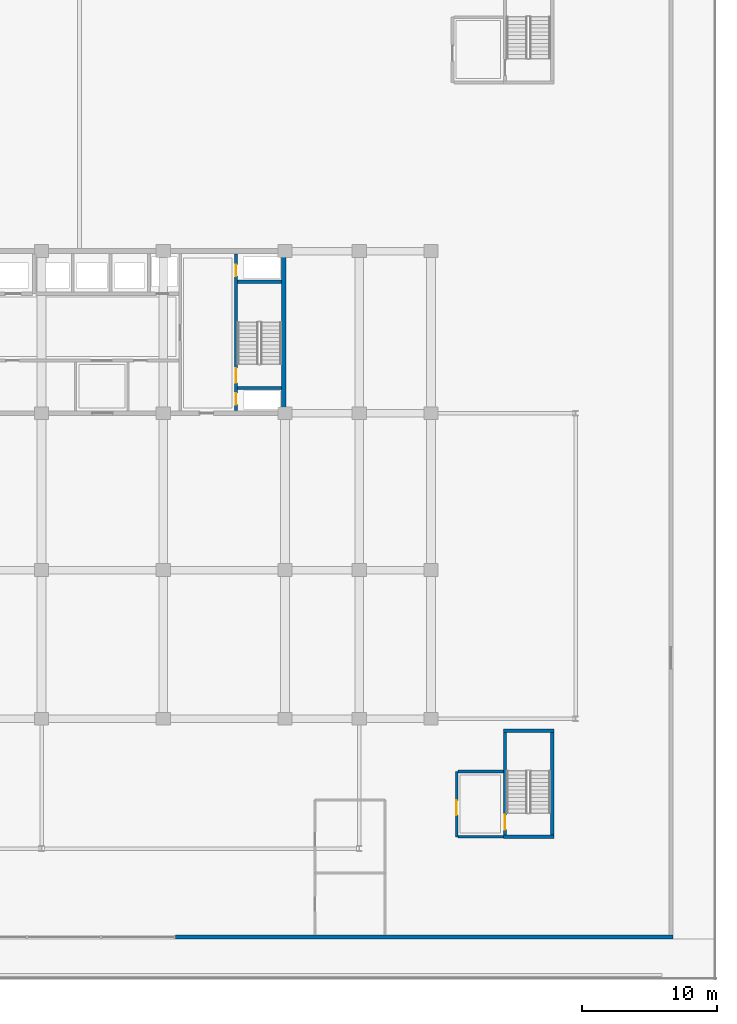
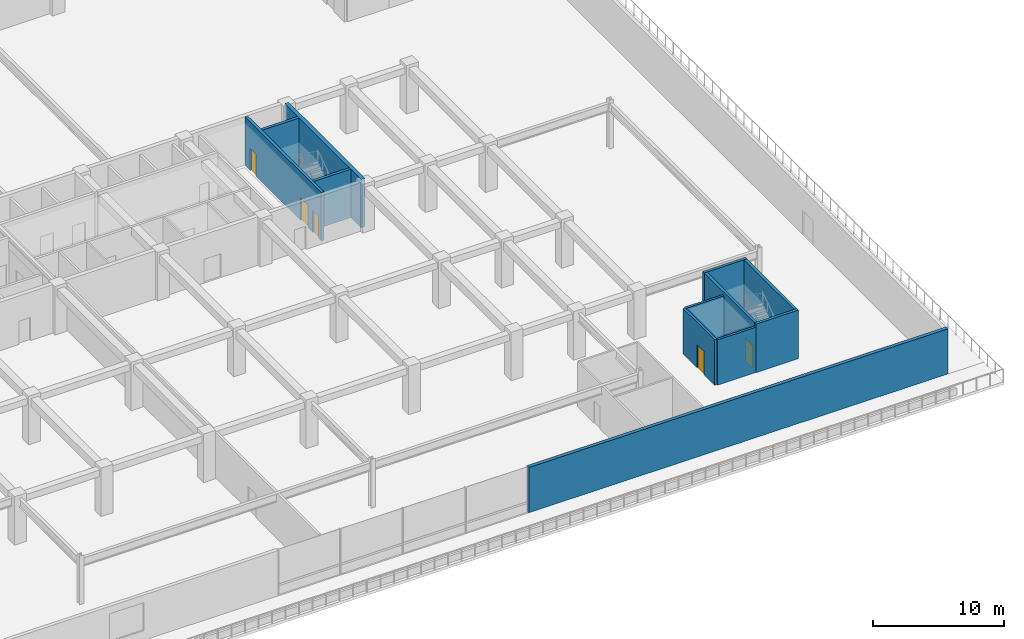
# One storey, part 22 of 43: 12 walls, 5 doors, 5 openings.
"""IFC4 building model written with IfcOpenShell, lengths in metres."""

import ifcopenshell
import ifcopenshell.guid

model = None  # the IFC model being written
_history = None  # IfcOwnerHistory: only IFC2X3 demands one
_inside = {}  # id of a spatial element -> (the spatial element, [elements in it])
_under = {}  # id of a project, library or spatial element -> (it, [spatial elements below it])
_declared = {}  # id of a project -> (the project, [libraries it declares])
_typed = {}  # id of a type object -> (the type object, [elements of that type])
_made_of = {}  # id of a material, layer set ... -> (it, [elements and type objects made of it])


def new_model(schema):
    """Start an empty IFC model of exactly this schema.

    Asked for "IFC4X3", IfcOpenShell would pick the latest addendum, in which some entities
    have other attributes; the version numbers below select the first issue.
    IFC2X3 requires an IfcOwnerHistory on every rooted entity: one is made here for all.
    """
    global model, _history
    if schema == "IFC4X3":
        model = ifcopenshell.file(schema_version=(4, 3, 0, 0))
    else:
        model = ifcopenshell.file(schema=schema)
    _inside.clear()
    _under.clear()
    _declared.clear()
    _typed.clear()
    _made_of.clear()
    _history = None
    if model.schema == "IFC2X3":
        org = make("IfcOrganization", Name="unknown")
        user = make(
            "IfcPersonAndOrganization",
            ThePerson=make("IfcPerson", FamilyName="unknown"),
            TheOrganization=org,
        )
        app = make(
            "IfcApplication",
            ApplicationDeveloper=org,
            Version="unknown",
            ApplicationFullName="unknown",
            ApplicationIdentifier="unknown",
        )
        _history = make(
            "IfcOwnerHistory",
            OwningUser=user,
            OwningApplication=app,
            ChangeAction="ADDED",
            CreationDate=0,
        )
    return model


def make(cls, **values):
    """One entity of the class cls with the attributes given. An attribute that is None is left unset."""
    return model.create_entity(
        cls, **{name: value for name, value in values.items() if value is not None}
    )


def rooted(cls, **values):
    """An entity with a GlobalId (a new one), such as an element, a storey or a relation."""
    return make(cls, GlobalId=ifcopenshell.guid.new(), OwnerHistory=_history, **values)


def si_unit(unit_type, name, prefix=None):
    """IfcSIUnit, for example si_unit("LENGTHUNIT", "METRE", prefix="MILLI")."""
    return make("IfcSIUnit", UnitType=unit_type, Prefix=prefix, Name=name)


def assignment(units):
    """IfcUnitAssignment: the units of a project."""
    return None if units is None else make("IfcUnitAssignment", Units=units)


def point(xyz):
    """IfcCartesianPoint."""
    return None if xyz is None else make("IfcCartesianPoint", Coordinates=xyz)


def direction(xyz):
    """IfcDirection."""
    return None if xyz is None else make("IfcDirection", DirectionRatios=xyz)


def frame(location, z_axis=None, x_axis=None):
    """IfcAxis2Placement3D, a coordinate frame: its origin and axes. An axis left out is left unset."""
    return make(
        "IfcAxis2Placement3D",
        Location=point(location),
        Axis=direction(z_axis),
        RefDirection=direction(x_axis),
    )


def frame_2d(location, x_axis=None):
    """IfcAxis2Placement2D, a coordinate frame in the plane: its origin and x axis."""
    return make(
        "IfcAxis2Placement2D", Location=point(location), RefDirection=direction(x_axis)
    )


def origin():
    """The frame at (0, 0, 0) with its axes left unset."""
    return frame((0.0, 0.0, 0.0))


def place(relative_to, where):
    """IfcLocalPlacement: puts the frame where relative to a parent placement (None: the world)."""
    return make(
        "IfcLocalPlacement", PlacementRelTo=relative_to, RelativePlacement=where
    )


def context(
    kind, dimensions, precision=None, world=None, true_north=None, identifier=None
):
    """IfcGeometricRepresentationContext, for example the 3D "Model" context."""
    return make(
        "IfcGeometricRepresentationContext",
        ContextIdentifier=identifier,
        ContextType=kind,
        CoordinateSpaceDimension=dimensions,
        Precision=precision,
        WorldCoordinateSystem=world,
        TrueNorth=true_north,
    )


def subcontext(parent, identifier, kind, view, scale=None):
    """IfcGeometricRepresentationSubContext, for example "Body" below "Model"."""
    return make(
        "IfcGeometricRepresentationSubContext",
        ContextIdentifier=identifier,
        ContextType=kind,
        ParentContext=parent,
        TargetScale=scale,
        TargetView=view,
    )


def project(units=None, contexts=None):
    """IfcProject with its units and contexts."""
    return rooted(
        "IfcProject",
        Name="project",
        RepresentationContexts=contexts,
        UnitsInContext=assignment(units),
    )


def spatial(cls, under=None, at=None, **own):
    """A site, building, storey or space (cls), placed at a placement, below another one or the project."""
    s = rooted(cls, ObjectPlacement=at, **own)
    if under is not None:
        _under.setdefault(under.id(), (under, []))[1].append(s)
    return s


def profile(cls, at=None, kind="AREA", **sizes):
    """A parametric profile (cls). Its sizes go by their IFC names, for example OverallWidth=200.0."""
    return make(cls, ProfileType=kind, Position=at, **sizes)


def rectangle(**sizes):
    """IfcRectangleProfileDef."""
    return profile("IfcRectangleProfileDef", **sizes)


def extrude(swept, where, along, depth):
    """IfcExtrudedAreaSolid: the profile swept, set in the frame where, extruded along a direction by depth."""
    return make(
        "IfcExtrudedAreaSolid",
        SweptArea=swept,
        Position=where,
        ExtrudedDirection=direction(along),
        Depth=depth,
    )


def shape(context_of_items, identifier, shape_type, items):
    """IfcShapeRepresentation: the items that make up one representation, for example the "Body"."""
    return make(
        "IfcShapeRepresentation",
        ContextOfItems=context_of_items,
        RepresentationIdentifier=identifier,
        RepresentationType=shape_type,
        Items=items,
    )


def material(Name=None, Category=None):
    """IfcMaterial."""
    return make("IfcMaterial", Name=Name, Category=Category)


def layer(
    of_material, thickness, ventilated=None, Name=None, Category=None, Priority=None
):
    """IfcMaterialLayer: one layer of a wall or slab, of a material (None: an air gap)."""
    return make(
        "IfcMaterialLayer",
        Material=of_material,
        LayerThickness=thickness,
        IsVentilated=ventilated,
        Name=Name,
        Category=Category,
        Priority=Priority,
    )


def layer_set(layers, Name=None):
    """IfcMaterialLayerSet."""
    return make("IfcMaterialLayerSet", MaterialLayers=layers, LayerSetName=Name)


def made_of(thing, what):
    """Note that an element or type object is made of a material, layer set ...; save() writes the relation."""
    if what is not None:
        _made_of.setdefault(what.id(), (what, []))[1].append(thing)
    return thing


def type_object(cls, material=None, **own):
    """A type object (cls), such as IfcWallType, which elements share."""
    return made_of(rooted(cls, **own), material)


def element(
    cls,
    number,
    at=None,
    inside=None,
    cuts=None,
    type_object=None,
    material=None,
    context=None,
    identifier="Body",
    shape_type=None,
    held_by="IfcProductDefinitionShape",
    body=None,
    shapes=None,
    **own,
):
    """One element of the class cls, such as IfcWall. Its Tag is "e" and its number.

    at: its placement. inside: the storey or other place that contains it. cuts: it is an
    opening in that element (IfcRelVoidsElement). A single representation is given by context,
    identifier, shape_type and body (its items); several are given by shapes. held_by: the class
    of the entity that holds the representations. save() writes the other relations.
    """
    e = rooted(cls, Tag="e%d" % number, ObjectPlacement=at, **own)
    if body is not None:
        shapes = [shape(context, identifier, shape_type, body)]
    if shapes is not None:
        e.Representation = make(held_by, Representations=shapes)
    if inside is not None:
        _inside.setdefault(inside.id(), (inside, []))[1].append(e)
    if cuts is not None:
        rooted(
            "IfcRelVoidsElement", RelatingBuildingElement=cuts, RelatedOpeningElement=e
        )
    if type_object is not None:
        _typed.setdefault(type_object.id(), (type_object, []))[1].append(e)
    return made_of(e, material)


def fill(opening, filler):
    """IfcRelFillsElement: the door or window that sits in an opening."""
    return rooted(
        "IfcRelFillsElement",
        RelatingOpeningElement=opening,
        RelatedBuildingElement=filler,
    )


def aggregate(whole, parts):
    """IfcRelAggregates: a whole, such as a stair, and the parts it consists of."""
    return rooted("IfcRelAggregates", RelatingObject=whole, RelatedObjects=parts)


def save(model, path):
    """Write the relations noted so far, then the file.

    IfcRelAggregates (storeys below a building ...), IfcRelContainedInSpatialStructure (elements
    in a storey), IfcRelDefinesByType, IfcRelAssociatesMaterial and IfcRelDeclares: one each for
    every whole, place, type object, material and project.
    """
    for whole, parts in _under.values():
        aggregate(whole, parts)
    for where, things in _inside.values():
        rooted(
            "IfcRelContainedInSpatialStructure",
            RelatedElements=things,
            RelatingStructure=where,
        )
    for kind, things in _typed.values():
        rooted("IfcRelDefinesByType", RelatedObjects=things, RelatingType=kind)
    for what, things in _made_of.values():
        rooted("IfcRelAssociatesMaterial", RelatedObjects=things, RelatingMaterial=what)
    for by, libraries in _declared.values():
        rooted("IfcRelDeclares", RelatingContext=by, RelatedDefinitions=libraries)
    model.write(path)


model = new_model("IFC4")

# Units and contexts
model_context = context("Model", 3, precision=1e-05, world=origin(), true_north=direction((0.0, 1.0)))
body_context = subcontext(model_context, "Body", "Model", "MODEL_VIEW")
ifc_project = project(units=[si_unit("LENGTHUNIT", "METRE"), si_unit("AREAUNIT", "SQUARE_METRE"), si_unit("VOLUMEUNIT", "CUBIC_METRE"), si_unit("PLANEANGLEUNIT", "RADIAN"), si_unit("MASSUNIT", "GRAM", prefix="KILO")], contexts=[model_context])

# Site, building, storey
site_placement = place(None, origin())
site = spatial("IfcSite", under=ifc_project, at=site_placement, CompositionType="ELEMENT")
building_placement = place(site_placement, origin())
building = spatial("IfcBuilding", under=site, at=building_placement, Name="Korimba Cascade Residences", CompositionType="ELEMENT")
storey_placement = place(building_placement, frame((0.0, 0.0, 10.0)))
storey = spatial("IfcBuildingStorey", under=building, at=storey_placement, Name="L02", CompositionType="ELEMENT", Elevation=10.0)

# Walls
ifc_material_1 = material(Name="Precast concrete C40/50", Category="concrete")
ifc_layer_1 = layer(ifc_material_1, 0.300048828125)
ifc_layer_set_1 = layer_set([ifc_layer_1], Name="Precast concrete C40/50")
wall_type_1 = type_object("IfcWallType", Name="EW-STONE-300", PredefinedType="STANDARD", material=ifc_layer_set_1)
wall_1_placement = place(storey_placement, frame((110.0, -20.35009765625, 0.0), z_axis=(0.0, 0.0, 1.0), x_axis=(1.0, 0.0, 0.0)))
element("IfcWall", 1, at=wall_1_placement, inside=storey, type_object=wall_type_1, Name="L02 South-East Podium Wall", PredefinedType="STANDARD", context=body_context, shape_type="SweptSolid", body=[
    extrude(rectangle(XDim=36.800048828125, YDim=0.300048828125, at=frame_2d((18.39990234375, 0.0))), origin(), (0.0, 0.0, 1.0), 4.199951171875),
])
ifc_material_2 = material(Name="Concrete C65/80", Category="concrete")
ifc_layer_2 = layer(ifc_material_2, 0.35009765625)
ifc_layer_set_2 = layer_set([ifc_layer_2], Name="Concrete C65/80")
wall_type_2 = type_object("IfcWallType", Name="WAL-CORE-350", PredefinedType="SHEAR", material=ifc_layer_set_2)
wall_2_placement = place(storey_placement, frame((118.014892578125, 18.574951171875, 0.0), z_axis=(0.0, 0.0, 1.0), x_axis=(0.0, 1.0, 0.0)))
element("IfcWall", 2, at=wall_2_placement, inside=storey, type_object=wall_type_2, Name="L02 Core Shear Wall CW-L02-T2-E", PredefinedType="SHEAR", context=body_context, shape_type="SweptSolid", body=[
    extrude(rectangle(XDim=11.650146484375, YDim=0.35009765625, at=frame_2d((5.8251953125, 0.0))), origin(), (0.0, 0.0, 1.0), 4.5),
])

# Wall, opening, door
ifc_material_3 = material(Name="Concrete C40/50", Category="concrete")
ifc_layer_3 = layer(ifc_material_3, 0.199951171875)
ifc_layer_set_3 = layer_set([ifc_layer_3], Name="Concrete C40/50")
wall_type_3 = type_object("IfcWallType", Name="WAL-PART-200", PredefinedType="PARTITIONING", material=ifc_layer_set_3)
wall_3_placement = place(storey_placement, frame((130.800048828125, -12.925048828125, 0.0), z_axis=(0.0, 0.0, 1.0), x_axis=(0.0, 1.0, 0.0)))
wall_3 = element("IfcWall", 3, at=wall_3_placement, inside=storey, type_object=wall_type_3, Name="L02 Partition Wall CW-L02-PL6W", PredefinedType="PARTITIONING", context=body_context, shape_type="SweptSolid", body=[
    extrude(rectangle(XDim=4.824951171875, YDim=0.199951171875, at=frame_2d((2.41259765625, 0.0))), origin(), (0.0, 0.0, 1.0), 4.199951171875),
])
opening_1_placement = place(wall_3_placement, frame((1.60009765625, 0.0, 0.0)))
opening_1 = element("IfcOpeningElement", 4, at=opening_1_placement, cuts=wall_3, Name="Opening D-FD6", PredefinedType="OPENING", context=body_context, shape_type="SweptSolid", body=[
    extrude(rectangle(XDim=1.10009765625, YDim=2.14990234375, at=frame_2d((0.550048828125, 1.074951171875))), frame((0.0, 0.10986328125, 0.0), z_axis=(0.0, -1.0, 0.0), x_axis=(1.0, 0.0, 0.0)), (0.0, 0.0, 1.0), 0.219970703125),
])
ifc_material_4 = material(Name="Fire-Rated Timber Stair Lobby Door", Category="wood")
door_type_1 = type_object("IfcDoorType", Name="DR-FD90-1100", OperationType="NOTDEFINED", PredefinedType="DOOR", material=ifc_material_4)
door_1_placement = place(opening_1_placement, origin())
door_1 = element("IfcDoor", 5, at=door_1_placement, inside=storey, type_object=door_type_1, Name="L02 South-East Stair Vestibule Door", OperationType="SINGLE_SWING_LEFT", OverallHeight=2.14990234375, OverallWidth=1.10009765625, PredefinedType="DOOR", context=body_context, shape_type="SweptSolid", body=[
    extrude(rectangle(XDim=1.10009765625, YDim=2.14990234375, at=frame_2d((0.550048828125, 1.074951171875))), frame((0.0, 0.02490234375, 0.0), z_axis=(0.0, -1.0, 0.0), x_axis=(1.0, 0.0, 0.0)), (0.0, 0.0, 1.0), 0.050048828125),
])
fill(opening_1, door_1)

# Walls
for number, where, z_axis, x_axis, name in (
    (6, (130.89990234375, -12.925048828125, 0.0), (0.0, 0.0, 1.0), (1.0, 0.0, 0.0), "L02 Partition Wall CW-L02-PL6S"),
    (7, (130.89990234375, -8.10009765625, 0.0), (0.0, 0.0, 1.0), (1.0, 0.0, 0.0), "L02 Partition Wall CW-L02-PL6N"),
):
    element("IfcWall", number, at=place(storey_placement, frame(where, z_axis=z_axis, x_axis=x_axis)), inside=storey, type_object=wall_type_3, Name=name, PredefinedType="PARTITIONING", context=body_context, shape_type="SweptSolid", body=[
        extrude(rectangle(XDim=3.35009765625, YDim=0.199951171875, at=frame_2d((1.675048828125, 0.0))), origin(), (0.0, 0.0, 1.0), 4.199951171875),
    ])

# Wall, openings, doors
ifc_material_5 = material(Name="Concrete C50/60", Category="concrete")
ifc_layer_4 = layer(ifc_material_5, 0.25)
ifc_layer_set_4 = layer_set([ifc_layer_4], Name="Concrete C50/60")
wall_type_4 = type_object("IfcWallType", Name="WAL-SHAFT-250", PredefinedType="SHEAR", material=ifc_layer_set_4)
wall_4_placement = place(storey_placement, frame((114.47509765625, 18.60009765625, 0.0), z_axis=(0.0, 0.0, 1.0), x_axis=(0.0, 1.0, 0.0)))
wall_4 = element("IfcWall", 8, at=wall_4_placement, inside=storey, type_object=wall_type_4, Name="L02 Core Shear Wall CW-L02-T2-STE2W", PredefinedType="SHEAR", context=body_context, shape_type="SweptSolid", body=[
    extrude(rectangle(XDim=11.599853515625, YDim=0.25, at=frame_2d((5.7998046875, 0.0))), origin(), (0.0, 0.0, 1.0), 4.5),
])
opening_2_placement = place(wall_4_placement, frame((0.449951171875, 0.0, 0.0)))
opening_2 = element("IfcOpeningElement", 9, at=opening_2_placement, cuts=wall_4, Name="Opening D-RS1", PredefinedType="OPENING", context=body_context, shape_type="SweptSolid", body=[
    extrude(rectangle(XDim=0.85009765625, YDim=2.050048828125, at=frame_2d((0.425048828125, 1.02490234375))), frame((0.0, 0.135009765625, 0.0), z_axis=(0.0, -1.0, 0.0), x_axis=(1.0, 0.0, 0.0)), (0.0, 0.0, 1.0), 0.27001953125),
])
opening_3_placement = place(wall_4_placement, frame((2.050048828125, 0.0, 0.0)))
opening_3 = element("IfcOpeningElement", 10, at=opening_3_placement, cuts=wall_4, Name="Opening D-FD1", PredefinedType="OPENING", context=body_context, shape_type="SweptSolid", body=[
    extrude(rectangle(XDim=1.10009765625, YDim=2.10009765625, at=frame_2d((0.550048828125, 1.050048828125))), frame((0.0, 0.135009765625, 0.0), z_axis=(0.0, -1.0, 0.0), x_axis=(1.0, 0.0, 0.0)), (0.0, 0.0, 1.0), 0.27001953125),
])
opening_4_placement = place(wall_4_placement, frame((9.949951171875, 0.0, 0.0)))
opening_4 = element("IfcOpeningElement", 11, at=opening_4_placement, cuts=wall_4, Name="Opening D-RS1", PredefinedType="OPENING", context=body_context, shape_type="SweptSolid", body=[
    extrude(rectangle(XDim=0.85009765625, YDim=2.050048828125, at=frame_2d((0.425048828125, 1.02490234375))), frame((0.0, 0.135009765625, 0.0), z_axis=(0.0, -1.0, 0.0), x_axis=(1.0, 0.0, 0.0)), (0.0, 0.0, 1.0), 0.27001953125),
])
ifc_material_6 = material(Name="Fire-Rated Steel Core Door", Category="steel")
door_type_2 = type_object("IfcDoorType", Name="DR-FD120-1100", OperationType="NOTDEFINED", PredefinedType="DOOR", material=ifc_material_6)
door_2_placement = place(opening_3_placement, origin())
door_2 = element("IfcDoor", 12, at=door_2_placement, inside=storey, type_object=door_type_2, Name="L02 Fire Stair ST-E2 Door", OperationType="SINGLE_SWING_RIGHT", OverallHeight=2.10009765625, OverallWidth=1.10009765625, PredefinedType="DOOR", context=body_context, shape_type="SweptSolid", body=[
    extrude(rectangle(XDim=1.10009765625, YDim=2.10009765625, at=frame_2d((0.550048828125, 1.050048828125))), frame((0.0, 0.02490234375, 0.0), z_axis=(0.0, -1.0, 0.0), x_axis=(1.0, 0.0, 0.0)), (0.0, 0.0, 1.0), 0.050048828125),
])
fill(opening_3, door_2)
ifc_material_7 = material(Name="Fire-Rated Steel Riser Access Door", Category="steel")
door_type_3 = type_object("IfcDoorType", Name="DR-FD60-850", OperationType="NOTDEFINED", PredefinedType="DOOR", material=ifc_material_7)
door_3_placement = place(opening_2_placement, origin())
door_3 = element("IfcDoor", 13, at=door_3_placement, inside=storey, type_object=door_type_3, Name="L02 T2 East Hydrant Door", OperationType="SINGLE_SWING_LEFT", OverallHeight=2.050048828125, OverallWidth=0.85009765625, PredefinedType="DOOR", context=body_context, shape_type="SweptSolid", body=[
    extrude(rectangle(XDim=0.85009765625, YDim=2.050048828125, at=frame_2d((0.425048828125, 1.02490234375))), frame((0.0, 0.02490234375, 0.0), z_axis=(0.0, -1.0, 0.0), x_axis=(1.0, 0.0, 0.0)), (0.0, 0.0, 1.0), 0.050048828125),
])
fill(opening_2, door_3)
door_4_placement = place(opening_4_placement, origin())
door_4 = element("IfcDoor", 14, at=door_4_placement, inside=storey, type_object=door_type_3, Name="L02 T2 East Riser Door", OperationType="SINGLE_SWING_LEFT", OverallHeight=2.050048828125, OverallWidth=0.85009765625, PredefinedType="DOOR", context=body_context, shape_type="SweptSolid", body=[
    extrude(rectangle(XDim=0.85009765625, YDim=2.050048828125, at=frame_2d((0.425048828125, 1.02490234375))), frame((0.0, 0.02490234375, 0.0), z_axis=(0.0, -1.0, 0.0), x_axis=(1.0, 0.0, 0.0)), (0.0, 0.0, 1.0), 0.050048828125),
])
fill(opening_4, door_4)

# Walls
for number, where, z_axis, x_axis, name in (
    (15, (114.60009765625, 20.27490234375, 0.0), (0.0, 0.0, 1.0), (1.0, 0.0, 0.0), "L02 Core Shear Wall CW-L02-T2-STE2S"),
    (16, (114.60009765625, 28.125, 0.0), (0.0, 0.0, 1.0), (1.0, 0.0, 0.0), "L02 Core Shear Wall CW-L02-T2-STE2N"),
):
    element("IfcWall", number, at=place(storey_placement, frame(where, z_axis=z_axis, x_axis=x_axis)), inside=storey, type_object=wall_type_4, Name=name, PredefinedType="SHEAR", context=body_context, shape_type="SweptSolid", body=[
        extrude(rectangle(XDim=3.239990234375, YDim=0.25, at=frame_2d((1.6201171875, 0.0))), origin(), (0.0, 0.0, 1.0), 4.5),
    ])

# Wall, opening, door
wall_5_placement = place(storey_placement, frame((134.375, -12.800048828125, 0.0), z_axis=(0.0, 0.0, 1.0), x_axis=(0.0, 1.0, 0.0)))
wall_5 = element("IfcWall", 17, at=wall_5_placement, inside=storey, type_object=wall_type_4, Name="L02 Core Shear Wall CW-L02-STP6W", PredefinedType="SHEAR", context=body_context, shape_type="SweptSolid", body=[
    extrude(rectangle(XDim=7.60009765625, YDim=0.25, at=frame_2d((3.800048828125, 0.0))), origin(), (0.0, 0.0, 1.0), 4.5),
])
opening_5_placement = place(wall_5_placement, frame((0.39990234375, 0.0, 0.0)))
opening_5 = element("IfcOpeningElement", 18, at=opening_5_placement, cuts=wall_5, Name="Opening D-FD1", PredefinedType="OPENING", context=body_context, shape_type="SweptSolid", body=[
    extrude(rectangle(XDim=1.10009765625, YDim=2.10009765625, at=frame_2d((0.550048828125, 1.050048828125))), frame((0.0, 0.135009765625, 0.0), z_axis=(0.0, -1.0, 0.0), x_axis=(1.0, 0.0, 0.0)), (0.0, 0.0, 1.0), 0.27001953125),
])
door_5_placement = place(opening_5_placement, origin())
door_5 = element("IfcDoor", 19, at=door_5_placement, inside=storey, type_object=door_type_2, Name="L02 Podium Stair ST-P6 Door", OperationType="SINGLE_SWING_RIGHT", OverallHeight=2.10009765625, OverallWidth=1.10009765625, PredefinedType="DOOR", context=body_context, shape_type="SweptSolid", body=[
    extrude(rectangle(XDim=1.10009765625, YDim=2.10009765625, at=frame_2d((0.550048828125, 1.050048828125))), frame((0.0, 0.02490234375, 0.0), z_axis=(0.0, -1.0, 0.0), x_axis=(1.0, 0.0, 0.0)), (0.0, 0.0, 1.0), 0.050048828125),
])
fill(opening_5, door_5)

# Walls
wall_6_placement = place(storey_placement, frame((137.864990234375, -12.800048828125, 0.0), z_axis=(0.0, 0.0, 1.0), x_axis=(0.0, 1.0, 0.0)))
element("IfcWall", 20, at=wall_6_placement, inside=storey, type_object=wall_type_4, Name="L02 Core Shear Wall CW-L02-STP6E", PredefinedType="SHEAR", context=body_context, shape_type="SweptSolid", body=[
    extrude(rectangle(XDim=7.60009765625, YDim=0.25, at=frame_2d((3.800048828125, 0.0))), origin(), (0.0, 0.0, 1.0), 4.5),
])
for number, where, z_axis, x_axis, name in (
    (21, (134.25, -12.925048828125, 0.0), (0.0, 0.0, 1.0), (1.0, 0.0, 0.0), "L02 Core Shear Wall CW-L02-STP6S"),
    (22, (134.25, -5.074951171875, 0.0), (0.0, 0.0, 1.0), (1.0, 0.0, 0.0), "L02 Core Shear Wall CW-L02-STP6N"),
):
    element("IfcWall", number, at=place(storey_placement, frame(where, z_axis=z_axis, x_axis=x_axis)), inside=storey, type_object=wall_type_4, Name=name, PredefinedType="SHEAR", context=body_context, shape_type="SweptSolid", body=[
        extrude(rectangle(XDim=3.739990234375, YDim=0.25, at=frame_2d((1.8701171875, 0.0))), origin(), (0.0, 0.0, 1.0), 4.5),
    ])

save(model, "model.ifc")
